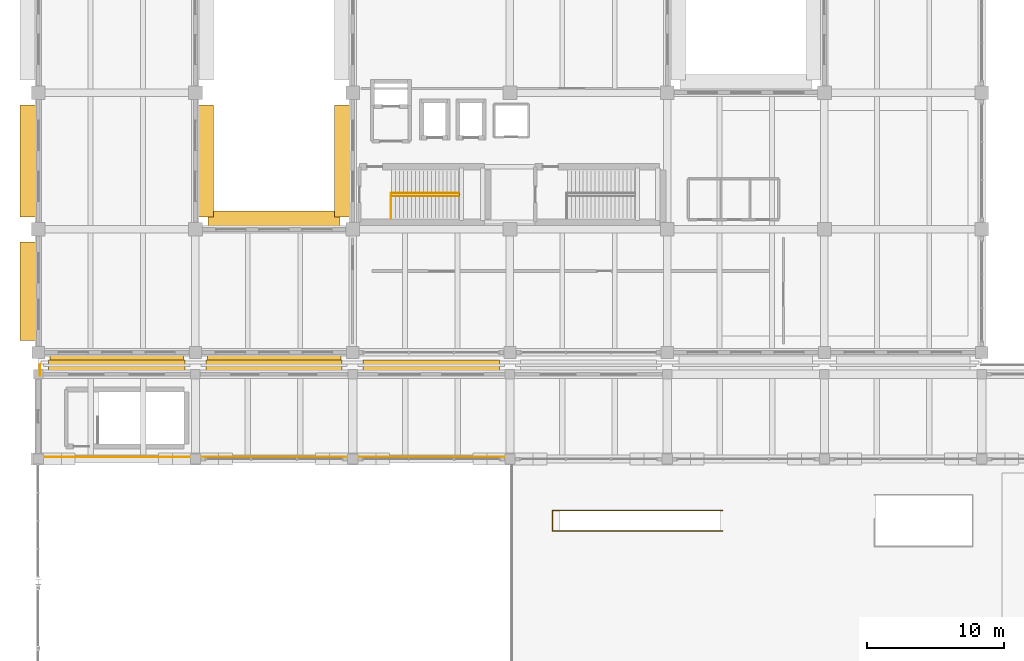
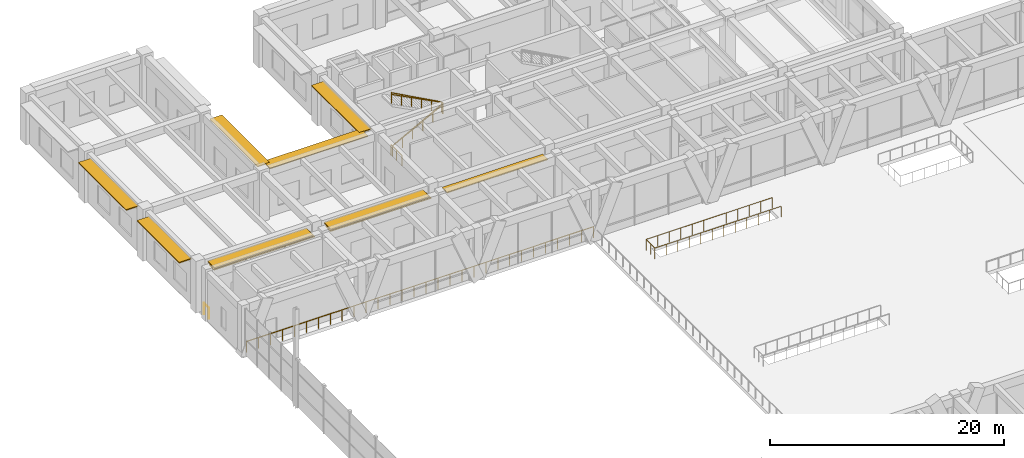
# One storey, part 144 of 148: 10 shading devices, 7 railings.
"""IFC4 building model written with IfcOpenShell, lengths in metres."""

import ifcopenshell
import ifcopenshell.guid

model = None  # the IFC model being written
_history = None  # IfcOwnerHistory: only IFC2X3 demands one
_inside = {}  # id of a spatial element -> (the spatial element, [elements in it])
_under = {}  # id of a project, library or spatial element -> (it, [spatial elements below it])
_declared = {}  # id of a project -> (the project, [libraries it declares])
_typed = {}  # id of a type object -> (the type object, [elements of that type])
_made_of = {}  # id of a material, layer set ... -> (it, [elements and type objects made of it])


def new_model(schema):
    """Start an empty IFC model of exactly this schema.

    Asked for "IFC4X3", IfcOpenShell would pick the latest addendum, in which some entities
    have other attributes; the version numbers below select the first issue.
    IFC2X3 requires an IfcOwnerHistory on every rooted entity: one is made here for all.
    """
    global model, _history
    if schema == "IFC4X3":
        model = ifcopenshell.file(schema_version=(4, 3, 0, 0))
    else:
        model = ifcopenshell.file(schema=schema)
    _inside.clear()
    _under.clear()
    _declared.clear()
    _typed.clear()
    _made_of.clear()
    _history = None
    if model.schema == "IFC2X3":
        org = make("IfcOrganization", Name="unknown")
        user = make(
            "IfcPersonAndOrganization",
            ThePerson=make("IfcPerson", FamilyName="unknown"),
            TheOrganization=org,
        )
        app = make(
            "IfcApplication",
            ApplicationDeveloper=org,
            Version="unknown",
            ApplicationFullName="unknown",
            ApplicationIdentifier="unknown",
        )
        _history = make(
            "IfcOwnerHistory",
            OwningUser=user,
            OwningApplication=app,
            ChangeAction="ADDED",
            CreationDate=0,
        )
    return model


def make(cls, **values):
    """One entity of the class cls with the attributes given. An attribute that is None is left unset."""
    return model.create_entity(
        cls, **{name: value for name, value in values.items() if value is not None}
    )


def rooted(cls, **values):
    """An entity with a GlobalId (a new one), such as an element, a storey or a relation."""
    return make(cls, GlobalId=ifcopenshell.guid.new(), OwnerHistory=_history, **values)


def si_unit(unit_type, name, prefix=None):
    """IfcSIUnit, for example si_unit("LENGTHUNIT", "METRE", prefix="MILLI")."""
    return make("IfcSIUnit", UnitType=unit_type, Prefix=prefix, Name=name)


def assignment(units):
    """IfcUnitAssignment: the units of a project."""
    return None if units is None else make("IfcUnitAssignment", Units=units)


def point(xyz):
    """IfcCartesianPoint."""
    return None if xyz is None else make("IfcCartesianPoint", Coordinates=xyz)


def direction(xyz):
    """IfcDirection."""
    return None if xyz is None else make("IfcDirection", DirectionRatios=xyz)


def frame(location, z_axis=None, x_axis=None):
    """IfcAxis2Placement3D, a coordinate frame: its origin and axes. An axis left out is left unset."""
    return make(
        "IfcAxis2Placement3D",
        Location=point(location),
        Axis=direction(z_axis),
        RefDirection=direction(x_axis),
    )


def frame_2d(location, x_axis=None):
    """IfcAxis2Placement2D, a coordinate frame in the plane: its origin and x axis."""
    return make(
        "IfcAxis2Placement2D", Location=point(location), RefDirection=direction(x_axis)
    )


def origin():
    """The frame at (0, 0, 0) with its axes left unset."""
    return frame((0.0, 0.0, 0.0))


def origin_2d():
    """The frame at (0, 0) in the plane with its x axis left unset."""
    return frame_2d((0.0, 0.0))


def place(relative_to, where):
    """IfcLocalPlacement: puts the frame where relative to a parent placement (None: the world)."""
    return make(
        "IfcLocalPlacement", PlacementRelTo=relative_to, RelativePlacement=where
    )


def context(
    kind, dimensions, precision=None, world=None, true_north=None, identifier=None
):
    """IfcGeometricRepresentationContext, for example the 3D "Model" context."""
    return make(
        "IfcGeometricRepresentationContext",
        ContextIdentifier=identifier,
        ContextType=kind,
        CoordinateSpaceDimension=dimensions,
        Precision=precision,
        WorldCoordinateSystem=world,
        TrueNorth=true_north,
    )


def subcontext(parent, identifier, kind, view, scale=None):
    """IfcGeometricRepresentationSubContext, for example "Body" below "Model"."""
    return make(
        "IfcGeometricRepresentationSubContext",
        ContextIdentifier=identifier,
        ContextType=kind,
        ParentContext=parent,
        TargetScale=scale,
        TargetView=view,
    )


def project(units=None, contexts=None):
    """IfcProject with its units and contexts."""
    return rooted(
        "IfcProject",
        Name="project",
        RepresentationContexts=contexts,
        UnitsInContext=assignment(units),
    )


def spatial(cls, under=None, at=None, **own):
    """A site, building, storey or space (cls), placed at a placement, below another one or the project."""
    s = rooted(cls, ObjectPlacement=at, **own)
    if under is not None:
        _under.setdefault(under.id(), (under, []))[1].append(s)
    return s


def profile(cls, at=None, kind="AREA", **sizes):
    """A parametric profile (cls). Its sizes go by their IFC names, for example OverallWidth=200.0."""
    return make(cls, ProfileType=kind, Position=at, **sizes)


def rectangle(**sizes):
    """IfcRectangleProfileDef."""
    return profile("IfcRectangleProfileDef", **sizes)


def circle(**sizes):
    """IfcCircleProfileDef."""
    return profile("IfcCircleProfileDef", **sizes)


def extrude(swept, where, along, depth):
    """IfcExtrudedAreaSolid: the profile swept, set in the frame where, extruded along a direction by depth."""
    return make(
        "IfcExtrudedAreaSolid",
        SweptArea=swept,
        Position=where,
        ExtrudedDirection=direction(along),
        Depth=depth,
    )


def shape(context_of_items, identifier, shape_type, items):
    """IfcShapeRepresentation: the items that make up one representation, for example the "Body"."""
    return make(
        "IfcShapeRepresentation",
        ContextOfItems=context_of_items,
        RepresentationIdentifier=identifier,
        RepresentationType=shape_type,
        Items=items,
    )


def material(Name=None, Category=None):
    """IfcMaterial."""
    return make("IfcMaterial", Name=Name, Category=Category)


def layer(
    of_material, thickness, ventilated=None, Name=None, Category=None, Priority=None
):
    """IfcMaterialLayer: one layer of a wall or slab, of a material (None: an air gap)."""
    return make(
        "IfcMaterialLayer",
        Material=of_material,
        LayerThickness=thickness,
        IsVentilated=ventilated,
        Name=Name,
        Category=Category,
        Priority=Priority,
    )


def layer_set(layers, Name=None):
    """IfcMaterialLayerSet."""
    return make("IfcMaterialLayerSet", MaterialLayers=layers, LayerSetName=Name)


def made_of(thing, what):
    """Note that an element or type object is made of a material, layer set ...; save() writes the relation."""
    if what is not None:
        _made_of.setdefault(what.id(), (what, []))[1].append(thing)
    return thing


def type_object(cls, material=None, **own):
    """A type object (cls), such as IfcWallType, which elements share."""
    return made_of(rooted(cls, **own), material)


def element(
    cls,
    number,
    at=None,
    inside=None,
    cuts=None,
    type_object=None,
    material=None,
    context=None,
    identifier="Body",
    shape_type=None,
    held_by="IfcProductDefinitionShape",
    body=None,
    shapes=None,
    **own,
):
    """One element of the class cls, such as IfcWall. Its Tag is "e" and its number.

    at: its placement. inside: the storey or other place that contains it. cuts: it is an
    opening in that element (IfcRelVoidsElement). A single representation is given by context,
    identifier, shape_type and body (its items); several are given by shapes. held_by: the class
    of the entity that holds the representations. save() writes the other relations.
    """
    e = rooted(cls, Tag="e%d" % number, ObjectPlacement=at, **own)
    if body is not None:
        shapes = [shape(context, identifier, shape_type, body)]
    if shapes is not None:
        e.Representation = make(held_by, Representations=shapes)
    if inside is not None:
        _inside.setdefault(inside.id(), (inside, []))[1].append(e)
    if cuts is not None:
        rooted(
            "IfcRelVoidsElement", RelatingBuildingElement=cuts, RelatedOpeningElement=e
        )
    if type_object is not None:
        _typed.setdefault(type_object.id(), (type_object, []))[1].append(e)
    return made_of(e, material)


def aggregate(whole, parts):
    """IfcRelAggregates: a whole, such as a stair, and the parts it consists of."""
    return rooted("IfcRelAggregates", RelatingObject=whole, RelatedObjects=parts)


def save(model, path):
    """Write the relations noted so far, then the file.

    IfcRelAggregates (storeys below a building ...), IfcRelContainedInSpatialStructure (elements
    in a storey), IfcRelDefinesByType, IfcRelAssociatesMaterial and IfcRelDeclares: one each for
    every whole, place, type object, material and project.
    """
    for whole, parts in _under.values():
        aggregate(whole, parts)
    for where, things in _inside.values():
        rooted(
            "IfcRelContainedInSpatialStructure",
            RelatedElements=things,
            RelatingStructure=where,
        )
    for kind, things in _typed.values():
        rooted("IfcRelDefinesByType", RelatedObjects=things, RelatingType=kind)
    for what, things in _made_of.values():
        rooted("IfcRelAssociatesMaterial", RelatedObjects=things, RelatingMaterial=what)
    for by, libraries in _declared.values():
        rooted("IfcRelDeclares", RelatingContext=by, RelatedDefinitions=libraries)
    model.write(path)


model = new_model("IFC4")

# Units and contexts
model_context = context("Model", 3, precision=1e-05, world=origin(), true_north=direction((0.0, 1.0)))
body_context = subcontext(model_context, "Body", "Model", "MODEL_VIEW")
ifc_project = project(units=[si_unit("LENGTHUNIT", "METRE"), si_unit("AREAUNIT", "SQUARE_METRE"), si_unit("VOLUMEUNIT", "CUBIC_METRE"), si_unit("PLANEANGLEUNIT", "RADIAN"), si_unit("MASSUNIT", "GRAM", prefix="KILO")], contexts=[model_context])

# Site, building, storey
site_placement = place(None, origin())
site = spatial("IfcSite", under=ifc_project, at=site_placement, CompositionType="ELEMENT")
building_placement = place(site_placement, origin())
building = spatial("IfcBuilding", under=site, at=building_placement, Name="Ologun Quay Terminus", CompositionType="ELEMENT")
storey_placement = place(building_placement, frame((0.0, 0.0, 8.39990234375)))
storey = spatial("IfcBuildingStorey", under=building, at=storey_placement, Name="L02", CompositionType="ELEMENT", Elevation=8.39990234375)

# Railings
ifc_material_1 = material(Name="Glass", Category="glass")
railing_type_1 = type_object("IfcRailingType", Name="Concourse & Atrium Glazed Balustrade 1150", PredefinedType="BALUSTRADE", material=ifc_material_1)
railing_1_placement = place(storey_placement, frame((50.050048828125, 72.75, 0.0)))
element("IfcRailing", 1, at=railing_1_placement, inside=storey, type_object=railing_type_1, Name="BL-GL Escalator Well Balustrade ESC-03", PredefinedType="BALUSTRADE", context=body_context, shape_type="SweptSolid", body=[
    extrude(circle(Radius=0.02392578125, at=origin_2d()), frame((0.0, 0.0, 1.1259765625), z_axis=(-1.0, 0.0, 0.0), x_axis=(0.0, -1.0, 0.0)), (0.0, 0.0, 1.0), 12.449951171875),
    extrude(circle(Radius=0.02392578125, at=origin_2d()), frame((-12.449951171875, 0.0, 1.1259765625), z_axis=(0.0, 1.0, 0.0), x_axis=(-1.0, 0.0, 0.0)), (0.0, 0.0, 1.0), 1.5),
    extrude(circle(Radius=0.02392578125, at=origin_2d()), frame((-12.449951171875, 1.5, 1.1259765625), z_axis=(1.0, 0.0, 0.0), x_axis=(0.0, 1.0, 0.0)), (0.0, 0.0, 1.0), 12.449951171875),
    extrude(circle(Radius=0.02099609375, at=origin_2d()), origin(), (0.0, 0.0, 1.0), 1.101806640625),
    extrude(circle(Radius=0.02099609375, at=origin_2d()), frame((-1.1318359375, 0.0, 0.0)), (0.0, 0.0, 1.0), 1.101806640625),
    extrude(circle(Radius=0.02099609375, at=origin_2d()), frame((-2.263671875, 0.0, 0.0)), (0.0, 0.0, 1.0), 1.101806640625),
    extrude(circle(Radius=0.02099609375, at=origin_2d()), frame((-3.3955078125, 0.0, 0.0)), (0.0, 0.0, 1.0), 1.101806640625),
    extrude(circle(Radius=0.02099609375, at=origin_2d()), frame((-4.52734375, 0.0, 0.0)), (0.0, 0.0, 1.0), 1.101806640625),
    extrude(circle(Radius=0.02099609375, at=origin_2d()), frame((-5.6591796875, 0.0, 0.0)), (0.0, 0.0, 1.0), 1.101806640625),
    extrude(circle(Radius=0.02099609375, at=origin_2d()), frame((-6.790771484375, 0.0, 0.0)), (0.0, 0.0, 1.0), 1.101806640625),
    extrude(circle(Radius=0.02099609375, at=origin_2d()), frame((-7.922607421875, 0.0, 0.0)), (0.0, 0.0, 1.0), 1.101806640625),
    extrude(circle(Radius=0.02099609375, at=origin_2d()), frame((-9.054443359375, 0.0, 0.0)), (0.0, 0.0, 1.0), 1.101806640625),
    extrude(circle(Radius=0.02099609375, at=origin_2d()), frame((-10.186279296875, 0.0, 0.0)), (0.0, 0.0, 1.0), 1.101806640625),
    extrude(circle(Radius=0.02099609375, at=origin_2d()), frame((-11.318115234375, 0.0, 0.0)), (0.0, 0.0, 1.0), 1.101806640625),
    extrude(circle(Radius=0.02099609375, at=origin_2d()), frame((-12.449951171875, 0.0, 0.0)), (0.0, 0.0, 1.0), 1.101806640625),
    extrude(circle(Radius=0.02099609375, at=origin_2d()), frame((-12.449951171875, 0.75, 0.0)), (0.0, 0.0, 1.0), 1.101806640625),
    extrude(circle(Radius=0.02099609375, at=origin_2d()), frame((-12.449951171875, 1.5, 0.0)), (0.0, 0.0, 1.0), 1.101806640625),
    extrude(circle(Radius=0.02099609375, at=origin_2d()), frame((-11.318115234375, 1.5, 0.0)), (0.0, 0.0, 1.0), 1.101806640625),
    extrude(circle(Radius=0.02099609375, at=origin_2d()), frame((-10.186279296875, 1.5, 0.0)), (0.0, 0.0, 1.0), 1.101806640625),
    extrude(circle(Radius=0.02099609375, at=origin_2d()), frame((-9.054443359375, 1.5, 0.0)), (0.0, 0.0, 1.0), 1.101806640625),
    extrude(circle(Radius=0.02099609375, at=origin_2d()), frame((-7.922607421875, 1.5, 0.0)), (0.0, 0.0, 1.0), 1.101806640625),
    extrude(circle(Radius=0.02099609375, at=origin_2d()), frame((-6.790771484375, 1.5, 0.0)), (0.0, 0.0, 1.0), 1.101806640625),
    extrude(circle(Radius=0.02099609375, at=origin_2d()), frame((-5.6591796875, 1.5, 0.0)), (0.0, 0.0, 1.0), 1.101806640625),
    extrude(circle(Radius=0.02099609375, at=origin_2d()), frame((-4.52734375, 1.5, 0.0)), (0.0, 0.0, 1.0), 1.101806640625),
    extrude(circle(Radius=0.02099609375, at=origin_2d()), frame((-3.3955078125, 1.5, 0.0)), (0.0, 0.0, 1.0), 1.101806640625),
    extrude(circle(Radius=0.02099609375, at=origin_2d()), frame((-2.263671875, 1.5, 0.0)), (0.0, 0.0, 1.0), 1.101806640625),
    extrude(circle(Radius=0.02099609375, at=origin_2d()), frame((-1.1318359375, 1.5, 0.0)), (0.0, 0.0, 1.0), 1.101806640625),
    extrude(circle(Radius=0.02099609375, at=origin_2d()), frame((0.0, 1.5, 0.0)), (0.0, 0.0, 1.0), 1.101806640625),
])
railing_2_placement = place(storey_placement, frame((0.39990234375, 78.14990234375, 0.0)))
element("IfcRailing", 2, at=railing_2_placement, inside=storey, type_object=railing_type_1, Name="BL-GL North Concourse Edge Balustrade SW L02", PredefinedType="BALUSTRADE", context=body_context, shape_type="SweptSolid", body=[
    extrude(circle(Radius=0.02392578125, at=origin_2d()), frame((0.0, 0.0, 1.1259765625), z_axis=(1.0, 0.0, 0.0), x_axis=(0.0, 1.0, 0.0)), (0.0, 0.0, 1.0), 34.25),
    extrude(circle(Radius=0.02099609375, at=origin_2d()), origin(), (0.0, 0.0, 1.0), 1.101806640625),
    extrude(circle(Radius=0.02099609375, at=origin_2d()), frame((1.18115234375, 0.0, 0.0)), (0.0, 0.0, 1.0), 1.101806640625),
    extrude(circle(Radius=0.02099609375, at=origin_2d()), frame((2.362060546875, 0.0, 0.0)), (0.0, 0.0, 1.0), 1.101806640625),
    extrude(circle(Radius=0.02099609375, at=origin_2d()), frame((3.543212890625, 0.0, 0.0)), (0.0, 0.0, 1.0), 1.101806640625),
    extrude(circle(Radius=0.02099609375, at=origin_2d()), frame((4.72412109375, 0.0, 0.0)), (0.0, 0.0, 1.0), 1.101806640625),
    extrude(circle(Radius=0.02099609375, at=origin_2d()), frame((5.9052734375, 0.0, 0.0)), (0.0, 0.0, 1.0), 1.101806640625),
    extrude(circle(Radius=0.02099609375, at=origin_2d()), frame((7.086181640625, 0.0, 0.0)), (0.0, 0.0, 1.0), 1.101806640625),
    extrude(circle(Radius=0.02099609375, at=origin_2d()), frame((8.267333984375, 0.0, 0.0)), (0.0, 0.0, 1.0), 1.101806640625),
    extrude(circle(Radius=0.02099609375, at=origin_2d()), frame((9.4482421875, 0.0, 0.0)), (0.0, 0.0, 1.0), 1.101806640625),
    extrude(circle(Radius=0.02099609375, at=origin_2d()), frame((10.62939453125, 0.0, 0.0)), (0.0, 0.0, 1.0), 1.101806640625),
    extrude(circle(Radius=0.02099609375, at=origin_2d()), frame((11.810302734375, 0.0, 0.0)), (0.0, 0.0, 1.0), 1.101806640625),
    extrude(circle(Radius=0.02099609375, at=origin_2d()), frame((12.991455078125, 0.0, 0.0)), (0.0, 0.0, 1.0), 1.101806640625),
    extrude(circle(Radius=0.02099609375, at=origin_2d()), frame((14.17236328125, 0.0, 0.0)), (0.0, 0.0, 1.0), 1.101806640625),
    extrude(circle(Radius=0.02099609375, at=origin_2d()), frame((15.353515625, 0.0, 0.0)), (0.0, 0.0, 1.0), 1.101806640625),
    extrude(circle(Radius=0.02099609375, at=origin_2d()), frame((16.534423828125, 0.0, 0.0)), (0.0, 0.0, 1.0), 1.101806640625),
    extrude(circle(Radius=0.02099609375, at=origin_2d()), frame((17.715576171875, 0.0, 0.0)), (0.0, 0.0, 1.0), 1.101806640625),
    extrude(circle(Radius=0.02099609375, at=origin_2d()), frame((18.896484375, 0.0, 0.0)), (0.0, 0.0, 1.0), 1.101806640625),
    extrude(circle(Radius=0.02099609375, at=origin_2d()), frame((20.07763671875, 0.0, 0.0)), (0.0, 0.0, 1.0), 1.101806640625),
    extrude(circle(Radius=0.02099609375, at=origin_2d()), frame((21.258544921875, 0.0, 0.0)), (0.0, 0.0, 1.0), 1.101806640625),
    extrude(circle(Radius=0.02099609375, at=origin_2d()), frame((22.439697265625, 0.0, 0.0)), (0.0, 0.0, 1.0), 1.101806640625),
    extrude(circle(Radius=0.02099609375, at=origin_2d()), frame((23.62060546875, 0.0, 0.0)), (0.0, 0.0, 1.0), 1.101806640625),
    extrude(circle(Radius=0.02099609375, at=origin_2d()), frame((24.8017578125, 0.0, 0.0)), (0.0, 0.0, 1.0), 1.101806640625),
    extrude(circle(Radius=0.02099609375, at=origin_2d()), frame((25.982666015625, 0.0, 0.0)), (0.0, 0.0, 1.0), 1.101806640625),
    extrude(circle(Radius=0.02099609375, at=origin_2d()), frame((27.163818359375, 0.0, 0.0)), (0.0, 0.0, 1.0), 1.101806640625),
    extrude(circle(Radius=0.02099609375, at=origin_2d()), frame((28.3447265625, 0.0, 0.0)), (0.0, 0.0, 1.0), 1.101806640625),
    extrude(circle(Radius=0.02099609375, at=origin_2d()), frame((29.52587890625, 0.0, 0.0)), (0.0, 0.0, 1.0), 1.101806640625),
    extrude(circle(Radius=0.02099609375, at=origin_2d()), frame((30.706787109375, 0.0, 0.0)), (0.0, 0.0, 1.0), 1.101806640625),
    extrude(circle(Radius=0.02099609375, at=origin_2d()), frame((31.887939453125, 0.0, 0.0)), (0.0, 0.0, 1.0), 1.101806640625),
    extrude(circle(Radius=0.02099609375, at=origin_2d()), frame((33.06884765625, 0.0, 0.0)), (0.0, 0.0, 1.0), 1.101806640625),
    extrude(circle(Radius=0.02099609375, at=origin_2d()), frame((34.25, 0.0, 0.0)), (0.0, 0.0, 1.0), 1.101806640625),
])

# Shading devices
ifc_material_2 = material(Name="Aluminium 6063-T6", Category="aluminium")
ifc_layer_1 = layer(ifc_material_2, 0.10009765625)
ifc_layer_set_1 = layer_set([ifc_layer_1], Name="Aluminium 6063-T6")
shading_device_type_1 = type_object("IfcShadingDeviceType", Name="Deep Waterfront Brise-Soleil Blade 1200", PredefinedType="JALOUSIE", material=ifc_layer_set_1)
for number, where, z_axis, x_axis, name in (
    (3, (5.75, 85.070068359375, 4.72998046875), (0.0, 0.0, 1.0), (1.0, 0.0, 0.0), "SD-02 Sun-Hood WEW-WW-O-L02-1"),
    (4, (17.25, 85.070068359375, 4.72998046875), (0.0, 0.0, 1.0), (1.0, 0.0, 0.0), "SD-02 Sun-Hood WEW-WW-O-L02-2"),
):
    element("IfcShadingDevice", number, at=place(storey_placement, frame(where, z_axis=z_axis, x_axis=x_axis)), inside=storey, type_object=shading_device_type_1, Name=name, PredefinedType="JALOUSIE", context=body_context, shape_type="SweptSolid", body=[
        extrude(rectangle(XDim=9.760009765625, YDim=1.199951171875, at=origin_2d()), origin(), (0.0, 0.0, 1.0), 0.10009765625),
    ])
shading_device_1_placement = place(storey_placement, frame((22.27001953125, 99.800048828125, 4.72998046875), z_axis=(0.0, 0.0, 1.0), x_axis=(1.0, 0.0, 0.0)))
element("IfcShadingDevice", 5, at=shading_device_1_placement, inside=storey, type_object=shading_device_type_1, Name="SD-02 Sun-Hood WEW-WW-O-L02-16", PredefinedType="JALOUSIE", context=body_context, shape_type="SweptSolid", body=[
    extrude(rectangle(XDim=1.199951171875, YDim=8.159912109375, at=origin_2d()), origin(), (0.0, 0.0, 1.0), 0.10009765625),
])
shading_device_2_placement = place(storey_placement, frame((17.25, 95.530029296875, 4.72998046875), z_axis=(0.0, 0.0, 1.0), x_axis=(1.0, 0.0, 0.0)))
element("IfcShadingDevice", 6, at=shading_device_2_placement, inside=storey, type_object=shading_device_type_1, Name="SD-02 Sun-Hood WEW-WW-O-L02-18", PredefinedType="JALOUSIE", context=body_context, shape_type="SweptSolid", body=[
    extrude(rectangle(XDim=9.659912109375, YDim=1.199951171875, at=origin_2d()), origin(), (0.0, 0.0, 1.0), 0.10009765625),
])
shading_device_3_placement = place(storey_placement, frame((12.22998046875, 99.800048828125, 4.72998046875), z_axis=(0.0, 0.0, 1.0), x_axis=(1.0, 0.0, 0.0)))
element("IfcShadingDevice", 7, at=shading_device_3_placement, inside=storey, type_object=shading_device_type_1, Name="SD-02 Sun-Hood WEW-WW-O-L02-19", PredefinedType="JALOUSIE", context=body_context, shape_type="SweptSolid", body=[
    extrude(rectangle(XDim=1.199951171875, YDim=8.159912109375, at=origin_2d()), origin(), (0.0, 0.0, 1.0), 0.10009765625),
])
shading_device_4_placement = place(storey_placement, frame((-0.72998046875, 90.27490234375, 4.72998046875), z_axis=(0.0, 0.0, 1.0), x_axis=(1.0, 0.0, 0.0)))
element("IfcShadingDevice", 8, at=shading_device_4_placement, inside=storey, type_object=shading_device_type_1, Name="SD-02 Sun-Hood WEW-WW-O-L02-22", PredefinedType="JALOUSIE", context=body_context, shape_type="SweptSolid", body=[
    extrude(rectangle(XDim=1.199951171875, YDim=7.2099609375, at=origin_2d()), origin(), (0.0, 0.0, 1.0), 0.10009765625),
])
shading_device_5_placement = place(storey_placement, frame((-0.72998046875, 99.800048828125, 4.72998046875), z_axis=(0.0, 0.0, 1.0), x_axis=(1.0, 0.0, 0.0)))
element("IfcShadingDevice", 9, at=shading_device_5_placement, inside=storey, type_object=shading_device_type_1, Name="SD-02 Sun-Hood WEW-WW-O-L02-23", PredefinedType="JALOUSIE", context=body_context, shape_type="SweptSolid", body=[
    extrude(rectangle(XDim=1.199951171875, YDim=8.159912109375, at=origin_2d()), origin(), (0.0, 0.0, 1.0), 0.10009765625),
])
ifc_material_3 = material(Name="Aluminium 6063-T6", Category="aluminium")
ifc_layer_2 = layer(ifc_material_3, 0.080078125)
ifc_layer_set_2 = layer_set([ifc_layer_2], Name="Aluminium 6063-T6")
shading_device_type_2 = type_object("IfcShadingDeviceType", Name="Horizontal Extruded Aluminium Sun Louvre 900", PredefinedType="JALOUSIE", material=ifc_layer_set_2)
for number, where, z_axis, x_axis, name in (
    (10, (5.75, 84.780029296875, 4.66015625), (0.0, 0.0, 1.0), (1.0, 0.0, 0.0), "SD-01 Sun-Hood WEW-NGW-L02-01"),
    (11, (17.25, 84.780029296875, 4.66015625), (0.0, 0.0, 1.0), (1.0, 0.0, 0.0), "SD-01 Sun-Hood WEW-NGW-L02-02"),
    (12, (28.75, 84.780029296875, 4.66015625), (0.0, 0.0, 1.0), (1.0, 0.0, 0.0), "SD-01 Sun-Hood WEW-NGW-L02-03"),
):
    element("IfcShadingDevice", number, at=place(storey_placement, frame(where, z_axis=z_axis, x_axis=x_axis)), inside=storey, type_object=shading_device_type_2, Name=name, PredefinedType="JALOUSIE", context=body_context, shape_type="SweptSolid", body=[
        extrude(rectangle(XDim=9.9599609375, YDim=0.89990234375, at=origin_2d()), origin(), (0.0, 0.0, 1.0), 0.080078125),
    ])

# Railings
ifc_material_4 = material(Name="Steel S355", Category="steel")
railing_type_2 = type_object("IfcRailingType", Name="Stair & Landing Steel Guardrail 1100", PredefinedType="GUARDRAIL", material=ifc_material_4)
railing_3_placement = place(storey_placement, frame((25.81005859375, 97.43994140625, 0.0)))
element("IfcRailing", 13, at=railing_3_placement, inside=storey, type_object=railing_type_2, Name="GR-ST Stair Floor Edge Guard ST-W1 L02", PredefinedType="GUARDRAIL", context=body_context, shape_type="SweptSolid", body=[
    extrude(circle(Radius=0.02392578125, at=origin_2d()), frame((0.0, 0.0, 1.076171875), z_axis=(0.0, -1.0, 0.0), x_axis=(1.0, 0.0, 0.0)), (0.0, 0.0, 1.0), 1.829833984375),
    extrude(circle(Radius=0.02099609375, at=origin_2d()), origin(), (0.0, 0.0, 1.0), 1.052001953125),
    extrude(circle(Radius=0.02099609375, at=origin_2d()), frame((0.0, -0.9150390625, 0.0)), (0.0, 0.0, 1.0), 1.052001953125),
    extrude(circle(Radius=0.02099609375, at=origin_2d()), frame((0.0, -1.829833984375, 0.0)), (0.0, 0.0, 1.0), 1.052001953125),
])
railing_4_placement = place(storey_placement, frame((25.85009765625, 97.25, 0.0)))
element("IfcRailing", 14, at=railing_4_placement, inside=storey, type_object=railing_type_2, Name="GR-ST Stair Inner Well Guard ST-W1 L02", PredefinedType="GUARDRAIL", context=body_context, shape_type="SweptSolid", body=[
    extrude(circle(Radius=0.02392578125, at=origin_2d()), frame((0.0, 0.0, 1.076171875), z_axis=(0.87828518882, 0.0, 0.478137142565), x_axis=(0.0, 1.0, 0.0)), (0.0, 0.0, 1.0), 5.647216796875),
    extrude(circle(Radius=0.02392578125, at=origin_2d()), frame((4.9599609375, 0.0, 3.7763671875), z_axis=(0.0, 1.0, 0.0), x_axis=(-1.0, 0.0, 0.0)), (0.0, 0.0, 1.0), 0.199951171875),
    extrude(circle(Radius=0.02392578125, at=origin_2d()), frame((4.9599609375, 0.199951171875, 3.7763671875), z_axis=(-0.878303343108, 0.0, 0.478103793632), x_axis=(0.0, -1.0, 0.0)), (0.0, 0.0, 1.0), 5.647216796875),
    extrude(circle(Radius=0.02099609375, at=origin_2d()), origin(), (0.0, 0.0, 1.0), 1.052001953125),
    extrude(circle(Radius=0.02099609375, at=origin_2d()), frame((0.991943359375, 0.0, 0.5400390625)), (0.0, 0.0, 1.0), 1.052001953125),
    extrude(circle(Radius=0.02099609375, at=origin_2d()), frame((1.98388671875, 0.0, 1.080078125)), (0.0, 0.0, 1.0), 1.052001953125),
    extrude(circle(Radius=0.02099609375, at=origin_2d()), frame((2.97607421875, 0.0, 1.6201171875)), (0.0, 0.0, 1.0), 1.052001953125),
    extrude(circle(Radius=0.02099609375, at=origin_2d()), frame((3.968017578125, 0.0, 2.16015625)), (0.0, 0.0, 1.0), 1.052001953125),
    extrude(circle(Radius=0.02099609375, at=origin_2d()), frame((4.9599609375, 0.0, 2.7001953125)), (0.0, 0.0, 1.0), 1.052001953125),
    extrude(circle(Radius=0.02099609375, at=origin_2d()), frame((4.9599609375, 0.199951171875, 2.7001953125)), (0.0, 0.0, 1.0), 1.052001953125),
    extrude(circle(Radius=0.02099609375, at=origin_2d()), frame((3.968017578125, 0.199951171875, 3.240234375)), (0.0, 0.0, 1.0), 1.052001953125),
    extrude(circle(Radius=0.02099609375, at=origin_2d()), frame((2.97607421875, 0.199951171875, 3.7802734375)), (0.0, 0.0, 1.0), 1.052001953125),
    extrude(circle(Radius=0.02099609375, at=origin_2d()), frame((1.98388671875, 0.199951171875, 4.320068359375)), (0.0, 0.0, 1.0), 1.052001953125),
    extrude(circle(Radius=0.02099609375, at=origin_2d()), frame((0.991943359375, 0.199951171875, 4.860107421875)), (0.0, 0.0, 1.0), 1.052001953125),
    extrude(circle(Radius=0.02099609375, at=origin_2d()), frame((0.0, 0.199951171875, 5.400146484375)), (0.0, 0.0, 1.0), 1.052001953125),
])
ifc_material_5 = material(Name="Steel S355", Category="steel")
railing_type_3 = type_object("IfcRailingType", Name="Stair Stainless Tubular Handrail 920", PredefinedType="HANDRAIL", material=ifc_material_5)
railing_5_placement = place(storey_placement, frame((25.85009765625, 97.239990234375, 0.150146484375)))
element("IfcRailing", 15, at=railing_5_placement, inside=storey, type_object=railing_type_3, Name="HR-ST Handrail ST-W1-F1 L02", PredefinedType="HANDRAIL", context=body_context, shape_type="SweptSolid", body=[
    extrude(circle(Radius=0.02392578125, at=origin_2d()), frame((0.0, 0.0, 0.89599609375), z_axis=(0.888211453661, 0.0, 0.459434885034), x_axis=(0.0, 1.0, 0.0)), (0.0, 0.0, 1.0), 5.55029296875),
    extrude(circle(Radius=0.02099609375, at=origin_2d()), origin(), (0.0, 0.0, 1.0), 0.871826171875),
    extrude(circle(Radius=0.02099609375, at=origin_2d()), frame((0.986083984375, 0.0, 0.510009765625)), (0.0, 0.0, 1.0), 0.871826171875),
    extrude(circle(Radius=0.02099609375, at=origin_2d()), frame((1.971923828125, 0.0, 1.02001953125)), (0.0, 0.0, 1.0), 0.871826171875),
    extrude(circle(Radius=0.02099609375, at=origin_2d()), frame((2.9580078125, 0.0, 1.530029296875)), (0.0, 0.0, 1.0), 0.871826171875),
    extrude(circle(Radius=0.02099609375, at=origin_2d()), frame((3.94384765625, 0.0, 2.0400390625)), (0.0, 0.0, 1.0), 0.871826171875),
    extrude(circle(Radius=0.02099609375, at=origin_2d()), frame((4.929931640625, 0.0, 2.550048828125)), (0.0, 0.0, 1.0), 0.871826171875),
])
railing_6_placement = place(storey_placement, frame((30.780029296875, 97.4599609375, 2.85009765625)))
element("IfcRailing", 16, at=railing_6_placement, inside=storey, type_object=railing_type_3, Name="HR-ST Handrail ST-W1-F2 L02", PredefinedType="HANDRAIL", context=body_context, shape_type="SweptSolid", body=[
    extrude(circle(Radius=0.02392578125, at=origin_2d()), frame((0.0, 0.0, 0.89599609375), z_axis=(-0.888211453661, 0.0, 0.459434885034), x_axis=(0.0, -1.0, 0.0)), (0.0, 0.0, 1.0), 5.55029296875),
    extrude(circle(Radius=0.02099609375, at=origin_2d()), origin(), (0.0, 0.0, 1.0), 0.871826171875),
    extrude(circle(Radius=0.02099609375, at=origin_2d()), frame((-0.986083984375, 0.0, 0.510009765625)), (0.0, 0.0, 1.0), 0.871826171875),
    extrude(circle(Radius=0.02099609375, at=origin_2d()), frame((-1.971923828125, 0.0, 1.02001953125)), (0.0, 0.0, 1.0), 0.871826171875),
    extrude(circle(Radius=0.02099609375, at=origin_2d()), frame((-2.9580078125, 0.0, 1.530029296875)), (0.0, 0.0, 1.0), 0.871826171875),
    extrude(circle(Radius=0.02099609375, at=origin_2d()), frame((-3.94384765625, 0.0, 2.0400390625)), (0.0, 0.0, 1.0), 0.871826171875),
    extrude(circle(Radius=0.02099609375, at=origin_2d()), frame((-4.929931640625, 0.0, 2.550048828125)), (0.0, 0.0, 1.0), 0.871826171875),
])
ifc_material_6 = material(Name="Steel S355", Category="steel")
railing_type_4 = type_object("IfcRailingType", Name="Terrace & Quay Perimeter Guardrail 1150", PredefinedType="GUARDRAIL", material=ifc_material_6)
railing_7_placement = place(storey_placement, frame((0.1201171875, 84.10009765625, 0.0)))
element("IfcRailing", 17, at=railing_7_placement, inside=storey, type_object=railing_type_4, Name="GR-TR North Concourse End Return Guard W L02", PredefinedType="GUARDRAIL", context=body_context, shape_type="SweptSolid", body=[
    extrude(circle(Radius=0.02392578125, at=origin_2d()), frame((0.0, 0.0, 1.1259765625), z_axis=(0.0, 1.0, 0.0), x_axis=(-1.0, 0.0, 0.0)), (0.0, 0.0, 1.0), 0.81982421875),
    extrude(circle(Radius=0.02099609375, at=origin_2d()), origin(), (0.0, 0.0, 1.0), 1.101806640625),
    extrude(circle(Radius=0.02099609375, at=origin_2d()), frame((0.0, 0.81982421875, 0.0)), (0.0, 0.0, 1.0), 1.101806640625),
])

save(model, "model.ifc")
